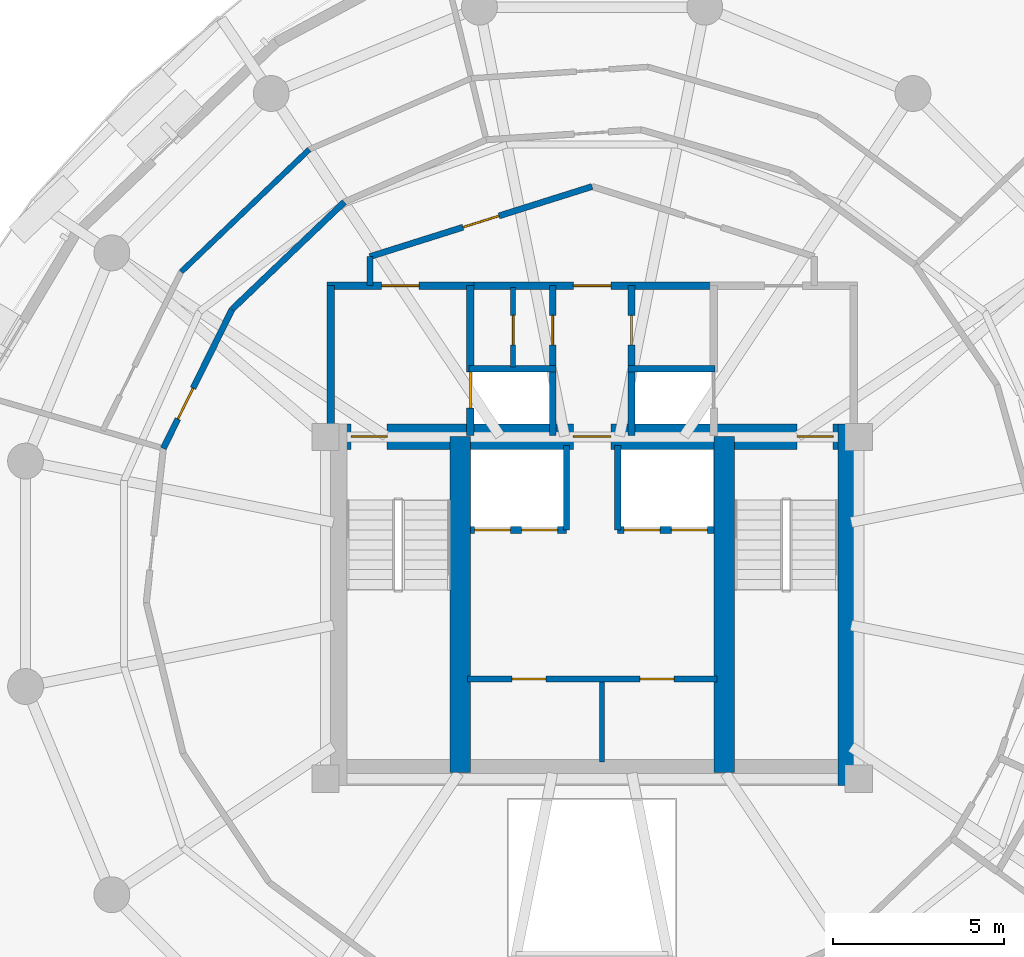
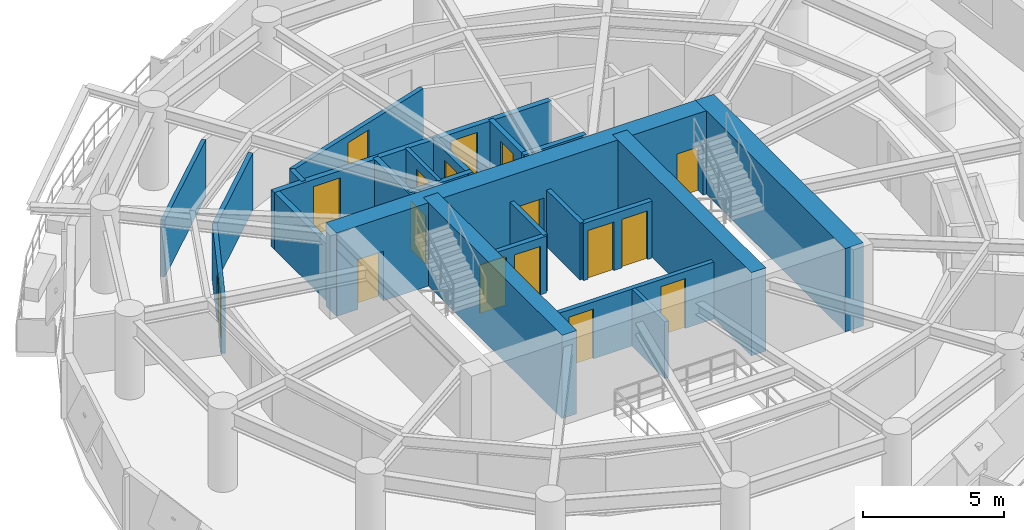
# One storey, part 8 of 12: 24 walls, 17 doors, 17 openings.
"""IFC4 building model written with IfcOpenShell, lengths in metres."""

from ifc_helpers import new_model, si_unit, direction, frame, frame_2d, origin, place, context, subcontext, project, spatial, rectangle, extrude, material, layer, layer_set, type_object, element, fill, save


model = new_model("IFC4")

# Units and contexts
model_context = context("Model", 3, precision=1e-05, world=origin(), true_north=direction((0.0, 1.0)))
body_context = subcontext(model_context, "Body", "Model", "MODEL_VIEW")
ifc_project = project(units=[si_unit("LENGTHUNIT", "METRE"), si_unit("AREAUNIT", "SQUARE_METRE"), si_unit("VOLUMEUNIT", "CUBIC_METRE"), si_unit("PLANEANGLEUNIT", "RADIAN"), si_unit("MASSUNIT", "GRAM", prefix="KILO"), si_unit("THERMODYNAMICTEMPERATUREUNIT", "KELVIN"), si_unit("POWERUNIT", "WATT")], contexts=[model_context])

# Site, building, storey
site_placement = place(None, origin())
site = spatial("IfcSite", under=ifc_project, at=site_placement, CompositionType="ELEMENT")
building_placement = place(site_placement, origin())
building = spatial("IfcBuilding", under=site, at=building_placement, Name="Ocrelia Relay Tower", CompositionType="ELEMENT")
storey_placement = place(building_placement, frame((0.0, 0.0, 213.199951171875)))
storey = spatial("IfcBuildingStorey", under=building, at=storey_placement, Name="L52", CompositionType="ELEMENT", Elevation=213.199951171875)

# Wall, openings, doors
ifc_material_1 = material(Name="Concrete C60/75", Category="concrete")
ifc_layer_1 = layer(ifc_material_1, 0.75, Name="Concrete C60/75")
ifc_layer_set_1 = layer_set([ifc_layer_1], Name="Concrete C60/75")
wall_type_1 = type_object("IfcWallType", Name="CW-CORE-750", PredefinedType="SHEAR", material=ifc_layer_set_1)
wall_1_placement = place(storey_placement, frame((26.072021484375, 30.012939453125, 0.0), z_axis=(0.0, 0.0, 1.0), x_axis=(1.0, 0.0, 0.0)))
wall_1 = element("IfcWall", 1, at=wall_1_placement, inside=storey, type_object=wall_type_1, Name="L52 Core Shear Wall N", PredefinedType="SHEAR", context=body_context, shape_type="SweptSolid", body=[
    extrude(rectangle(XDim=15.865966796875, YDim=0.75, at=frame_2d((7.93310546875, 0.0))), origin(), (0.0, 0.0, 1.0), 3.60009765625),
])
opening_1_placement = place(wall_1_placement, frame((0.8779296875, 0.0, 0.0)))
opening_1 = element("IfcOpeningElement", 2, at=opening_1_placement, cuts=wall_1, Name="Opening D-FD90", PredefinedType="OPENING", context=body_context, shape_type="SweptSolid", body=[
    extrude(rectangle(XDim=1.050048828125, YDim=2.14990234375, at=frame_2d((0.52490234375, 1.074951171875))), frame((0.0, 0.385009765625, 0.0), z_axis=(0.0, -1.0, 0.0), x_axis=(1.0, 0.0, 0.0)), (0.0, 0.0, 1.0), 0.77001953125),
])
opening_2_placement = place(wall_1_placement, frame((13.927978515625, 0.0, 0.0)))
opening_2 = element("IfcOpeningElement", 3, at=opening_2_placement, cuts=wall_1, Name="Opening D-FD90", PredefinedType="OPENING", context=body_context, shape_type="SweptSolid", body=[
    extrude(rectangle(XDim=1.050048828125, YDim=2.14990234375, at=frame_2d((0.52490234375, 1.074951171875))), frame((0.0, 0.385009765625, 0.0), z_axis=(0.0, -1.0, 0.0), x_axis=(1.0, 0.0, 0.0)), (0.0, 0.0, 1.0), 0.77001953125),
])
opening_3_placement = place(wall_1_placement, frame((7.3779296875, 0.0, 0.0)))
opening_3 = element("IfcOpeningElement", 4, at=opening_3_placement, cuts=wall_1, Name="Opening D-FD60", PredefinedType="OPENING", context=body_context, shape_type="SweptSolid", body=[
    extrude(rectangle(XDim=1.10009765625, YDim=2.14990234375, at=frame_2d((0.550048828125, 1.074951171875))), frame((0.0, 0.385009765625, 0.0), z_axis=(0.0, -1.0, 0.0), x_axis=(1.0, 0.0, 0.0)), (0.0, 0.0, 1.0), 0.77001953125),
])
ifc_material_2 = material(Name="Timber-core 60-min acoustic fire door", Category="wood")
door_type_1 = type_object("IfcDoorType", Name="DR-LOBBY-FD60-1100", OperationType="NOTDEFINED", PredefinedType="DOOR", material=ifc_material_2)
door_1_placement = place(opening_3_placement, origin())
door_1 = element("IfcDoor", 5, at=door_1_placement, inside=storey, type_object=door_type_1, Name="L52 Core Lift Lobby North Fire Door", OperationType="SINGLE_SWING_RIGHT", OverallHeight=2.14990234375, OverallWidth=1.10009765625, PredefinedType="DOOR", context=body_context, shape_type="SweptSolid", body=[
    extrude(rectangle(XDim=1.10009765625, YDim=2.14990234375, at=frame_2d((0.550048828125, 1.074951171875))), frame((0.0, 0.02490234375, 0.0), z_axis=(0.0, -1.0, 0.0), x_axis=(1.0, 0.0, 0.0)), (0.0, 0.0, 1.0), 0.050048828125),
])
fill(opening_3, door_1)
ifc_material_3 = material(Name="Steel S355 90-min fire door", Category="steel")
door_type_2 = type_object("IfcDoorType", Name="DR-STAIR-FD90-1050", OperationType="NOTDEFINED", PredefinedType="DOOR", material=ifc_material_3)
door_2_placement = place(opening_1_placement, origin())
door_2 = element("IfcDoor", 6, at=door_2_placement, inside=storey, type_object=door_type_2, Name="L52 Stair ST1 Fire Door", OperationType="SINGLE_SWING_RIGHT", OverallHeight=2.14990234375, OverallWidth=1.050048828125, PredefinedType="DOOR", context=body_context, shape_type="SweptSolid", body=[
    extrude(rectangle(XDim=1.050048828125, YDim=2.14990234375, at=frame_2d((0.52490234375, 1.074951171875))), frame((0.0, 0.02490234375, 0.0), z_axis=(0.0, -1.0, 0.0), x_axis=(1.0, 0.0, 0.0)), (0.0, 0.0, 1.0), 0.050048828125),
])
fill(opening_1, door_2)
door_3_placement = place(opening_2_placement, origin())
door_3 = element("IfcDoor", 7, at=door_3_placement, inside=storey, type_object=door_type_2, Name="L52 Stair ST2 Fire Door", OperationType="SINGLE_SWING_LEFT", OverallHeight=2.14990234375, OverallWidth=1.050048828125, PredefinedType="DOOR", context=body_context, shape_type="SweptSolid", body=[
    extrude(rectangle(XDim=1.050048828125, YDim=2.14990234375, at=frame_2d((0.52490234375, 1.074951171875))), frame((0.0, 0.02490234375, 0.0), z_axis=(0.0, -1.0, 0.0), x_axis=(1.0, 0.0, 0.0)), (0.0, 0.0, 1.0), 0.050048828125),
])
fill(opening_2, door_3)

# Walls
wall_2_placement = place(storey_placement, frame((41.56298828125, 19.81201171875, 0.0), z_axis=(0.0, 0.0, 1.0), x_axis=(0.0, 1.0, 0.0)))
element("IfcWall", 8, at=wall_2_placement, inside=storey, type_object=wall_type_1, Name="L52 Core Shear Wall E", PredefinedType="SHEAR", context=body_context, shape_type="SweptSolid", body=[
    extrude(rectangle(XDim=10.575927734375, YDim=0.75, at=frame_2d((5.2880859375, 0.0))), origin(), (0.0, 0.0, 1.0), 3.60009765625),
])
for number, where, z_axis, x_axis, name in (
    (9, (30.137939453125, 20.18701171875, 0.0), (0.0, 0.0, 1.0), (0.0, 1.0, 0.0), "L52 Core Shear Wall SPW"),
    (10, (37.8720703125, 20.18701171875, 0.0), (0.0, 0.0, 1.0), (0.0, 1.0, 0.0), "L52 Core Shear Wall SPE"),
):
    element("IfcWall", number, at=place(storey_placement, frame(where, z_axis=z_axis, x_axis=x_axis)), inside=storey, type_object=wall_type_1, Name=name, PredefinedType="SHEAR", context=body_context, shape_type="SweptSolid", body=[
        extrude(rectangle(XDim=9.825927734375, YDim=0.60009765625, at=frame_2d((4.9130859375, 0.0))), origin(), (0.0, 0.0, 1.0), 3.60009765625),
    ])

# Wall, openings, doors
ifc_material_4 = material(Name="Gypsum Fireboard Partition EI60", Category="gypsum")
ifc_layer_2 = layer(ifc_material_4, 0.179931640625, Name="Gypsum Fireboard Partition EI60")
ifc_layer_set_2 = layer_set([ifc_layer_2], Name="Gypsum Fireboard Partition EI60")
wall_type_2 = type_object("IfcWallType", Name="W-CORR-EI60-180", PredefinedType="PARTITIONING", material=ifc_layer_set_2)
wall_3_placement = place(storey_placement, frame((30.35009765625, 22.919921875, 0.0), z_axis=(0.0, 0.0, 1.0), x_axis=(1.0, 0.0, 0.0)))
wall_3 = element("IfcWall", 11, at=wall_3_placement, inside=storey, type_object=wall_type_2, Name="L52 Reclaimed Core Room Partition", PredefinedType="PARTITIONING", context=body_context, shape_type="SweptSolid", body=[
    extrude(rectangle(XDim=7.2998046875, YDim=0.179931640625, at=frame_2d((3.64990234375, 0.0))), origin(), (0.0, 0.0, 1.0), 2.4599609375),
])
opening_4_placement = place(wall_3_placement, frame((1.300048828125, 0.0, 0.0)))
opening_4 = element("IfcOpeningElement", 12, at=opening_4_placement, cuts=wall_3, Name="Opening D-RM100", PredefinedType="OPENING", context=body_context, shape_type="SweptSolid", body=[
    extrude(rectangle(XDim=1.0, YDim=2.14990234375, at=frame_2d((0.5, 1.074951171875))), frame((0.0, 0.10009765625, 0.0), z_axis=(0.0, -1.0, 0.0), x_axis=(1.0, 0.0, 0.0)), (0.0, 0.0, 1.0), 0.199951171875),
])
opening_5_placement = place(wall_3_placement, frame((5.050048828125, 0.0, 0.0)))
opening_5 = element("IfcOpeningElement", 13, at=opening_5_placement, cuts=wall_3, Name="Opening D-RM100", PredefinedType="OPENING", context=body_context, shape_type="SweptSolid", body=[
    extrude(rectangle(XDim=1.0, YDim=2.14990234375, at=frame_2d((0.5, 1.074951171875))), frame((0.0, 0.10009765625, 0.0), z_axis=(0.0, -1.0, 0.0), x_axis=(1.0, 0.0, 0.0)), (0.0, 0.0, 1.0), 0.199951171875),
])
ifc_material_5 = material(Name="Acoustic oak veneer fire door", Category="wood")
door_type_3 = type_object("IfcDoorType", Name="DR-ROOM-FD60-1000", OperationType="NOTDEFINED", PredefinedType="DOOR", material=ifc_material_5)
door_4_placement = place(opening_4_placement, origin())
door_4 = element("IfcDoor", 14, at=door_4_placement, inside=storey, type_object=door_type_3, Name="L52 Reclaimed Core Room 1 Door", OperationType="SINGLE_SWING_LEFT", OverallHeight=2.14990234375, OverallWidth=1.0, PredefinedType="DOOR", context=body_context, shape_type="SweptSolid", body=[
    extrude(rectangle(XDim=1.0, YDim=2.14990234375, at=frame_2d((0.5, 1.074951171875))), frame((0.0, 0.02490234375, 0.0), z_axis=(0.0, -1.0, 0.0), x_axis=(1.0, 0.0, 0.0)), (0.0, 0.0, 1.0), 0.050048828125),
])
fill(opening_4, door_4)
door_5_placement = place(opening_5_placement, origin())
door_5 = element("IfcDoor", 15, at=door_5_placement, inside=storey, type_object=door_type_3, Name="L52 Reclaimed Core Room 2 Door", OperationType="SINGLE_SWING_RIGHT", OverallHeight=2.14990234375, OverallWidth=1.0, PredefinedType="DOOR", context=body_context, shape_type="SweptSolid", body=[
    extrude(rectangle(XDim=1.0, YDim=2.14990234375, at=frame_2d((0.5, 1.074951171875))), frame((0.0, 0.02490234375, 0.0), z_axis=(0.0, -1.0, 0.0), x_axis=(1.0, 0.0, 0.0)), (0.0, 0.0, 1.0), 0.050048828125),
])
fill(opening_5, door_5)

# Wall
wall_4_placement = place(storey_placement, frame((27.5, 34.429931640625, 0.0), z_axis=(0.0, 0.0, 1.0), x_axis=(0.0, 1.0, 0.0)))
element("IfcWall", 16, at=wall_4_placement, inside=storey, type_object=wall_type_2, Name="L52 Smoke Lobby West Return", PredefinedType="PARTITIONING", context=body_context, shape_type="SweptSolid", body=[
    extrude(rectangle(XDim=0.85009765625, YDim=0.179931640625, at=frame_2d((0.425048828125, 0.0))), origin(), (0.0, 0.0, 1.0), 2.4599609375),
])

# Wall, opening, door
wall_5_placement = place(storey_placement, frame((27.5, 35.280029296875, 0.0), z_axis=(0.0, 0.0, 1.0), x_axis=(0.953691418528, 0.300786765376, 0.0)))
wall_5 = element("IfcWall", 17, at=wall_5_placement, inside=storey, type_object=wall_type_2, Name="L52 North Smoke Lobby W Screen Wall", PredefinedType="PARTITIONING", context=body_context, shape_type="SweptSolid", body=[
    extrude(rectangle(XDim=6.815673828125, YDim=0.179931640625, at=frame_2d((3.40771484375, 0.0))), origin(), (0.0, 0.0, 1.0), 2.4599609375),
])
opening_6_placement = place(wall_5_placement, frame((2.85791015625, 0.0, 0.0)))
opening_6 = element("IfcOpeningElement", 18, at=opening_6_placement, cuts=wall_5, Name="Opening D-FD60", PredefinedType="OPENING", context=body_context, shape_type="SweptSolid", body=[
    extrude(rectangle(XDim=1.10009765625, YDim=2.14990234375, at=frame_2d((0.550048828125, 1.074951171875))), frame((0.0, 0.10009765625, 0.0), z_axis=(0.0, -1.0, 0.0), x_axis=(1.0, 0.0, 0.0)), (0.0, 0.0, 1.0), 0.199951171875),
])
door_6_placement = place(opening_6_placement, origin())
door_6 = element("IfcDoor", 19, at=door_6_placement, inside=storey, type_object=door_type_1, Name="L52 North Smoke Lobby W Fire Door", OperationType="SINGLE_SWING_LEFT", OverallHeight=2.14990234375, OverallWidth=1.10009765625, PredefinedType="DOOR", context=body_context, shape_type="SweptSolid", body=[
    extrude(rectangle(XDim=1.10009765625, YDim=2.14990234375, at=frame_2d((0.550048828125, 1.074951171875))), frame((0.0, 0.02490234375, 0.0), z_axis=(0.0, -1.0, 0.0), x_axis=(1.0, 0.0, 0.0)), (0.0, 0.0, 1.0), 0.050048828125),
])
fill(opening_6, door_6)

# Wall
wall_6_placement = place(storey_placement, frame((26.748291015625, 36.87353515625, 0.0), z_axis=(0.0, 0.0, 1.0), x_axis=(-0.722979348147, -0.690869641939, 0.0)))
element("IfcWall", 20, at=wall_6_placement, inside=storey, type_object=wall_type_2, Name="L52 Client Arrival Foyer Corridor Partition 2", PredefinedType="PARTITIONING", context=body_context, shape_type="SweptSolid", body=[
    extrude(rectangle(XDim=4.539306640625, YDim=0.179931640625, at=frame_2d((2.26953125, 0.0))), origin(), (0.0, 0.0, 1.0), 2.4599609375),
])

# Wall, opening, door
wall_7_placement = place(storey_placement, frame((23.466552734375, 33.737548828125, 0.0), z_axis=(0.0, 0.0, 1.0), x_axis=(-0.443078163256, -0.896482984359, 0.0)))
wall_7 = element("IfcWall", 21, at=wall_7_placement, inside=storey, type_object=wall_type_2, Name="L52 Client Arrival Foyer Corridor Partition 3", PredefinedType="PARTITIONING", context=body_context, shape_type="SweptSolid", body=[
    extrude(rectangle(XDim=4.539306640625, YDim=0.179931640625, at=frame_2d((2.26953125, 0.0))), origin(), (0.0, 0.0, 1.0), 2.4599609375),
])
opening_7_placement = place(wall_7_placement, frame((2.579345703125, 0.0, 0.0)))
opening_7 = element("IfcOpeningElement", 22, at=opening_7_placement, cuts=wall_7, Name="Opening D-RM100", PredefinedType="OPENING", context=body_context, shape_type="SweptSolid", body=[
    extrude(rectangle(XDim=1.0, YDim=2.14990234375, at=frame_2d((0.5, 1.074951171875))), frame((0.0, 0.10009765625, 0.0), z_axis=(0.0, -1.0, 0.0), x_axis=(1.0, 0.0, 0.0)), (0.0, 0.0, 1.0), 0.199951171875),
])
door_7_placement = place(opening_7_placement, origin())
door_7 = element("IfcDoor", 23, at=door_7_placement, inside=storey, type_object=door_type_3, Name="L52 Client Arrival Foyer Entrance Door", OperationType="SINGLE_SWING_RIGHT", OverallHeight=2.14990234375, OverallWidth=1.0, PredefinedType="DOOR", context=body_context, shape_type="SweptSolid", body=[
    extrude(rectangle(XDim=1.0, YDim=2.14990234375, at=frame_2d((0.5, 1.074951171875))), frame((0.0, 0.02490234375, 0.0), z_axis=(0.0, -1.0, 0.0), x_axis=(1.0, 0.0, 0.0)), (0.0, 0.0, 1.0), 0.050048828125),
])
fill(opening_7, door_7)

# Wall
ifc_material_6 = material(Name="Concrete C50/60", Category="concrete")
ifc_layer_3 = layer(ifc_material_6, 0.219970703125, Name="Concrete C50/60")
ifc_layer_set_3 = layer_set([ifc_layer_3], Name="Concrete C50/60")
wall_type_3 = type_object("IfcWallType", Name="W-FFL-EI120-220", PredefinedType="SOLIDWALL", material=ifc_layer_set_3)
wall_8_placement = place(storey_placement, frame((26.35009765625, 30.050048828125, 0.0), z_axis=(0.0, 0.0, 1.0), x_axis=(0.0, 1.0, 0.0)))
element("IfcWall", 24, at=wall_8_placement, inside=storey, type_object=wall_type_3, Name="L52 W Fire Service Lift Lobby West Wall", PredefinedType="SOLIDWALL", context=body_context, shape_type="SweptSolid", body=[
    extrude(rectangle(XDim=4.3798828125, YDim=0.219970703125, at=frame_2d((2.18994140625, 0.0))), origin(), (0.0, 0.0, 1.0), 2.4599609375),
])

# Wall, opening, door
wall_9_placement = place(storey_placement, frame((30.43994140625, 30.050048828125, 0.0), z_axis=(0.0, 0.0, 1.0), x_axis=(0.0, 1.0, 0.0)))
wall_9 = element("IfcWall", 25, at=wall_9_placement, inside=storey, type_object=wall_type_3, Name="L52 W Fire Service Lift Lobby East Wall", PredefinedType="SOLIDWALL", context=body_context, shape_type="SweptSolid", body=[
    extrude(rectangle(XDim=4.3798828125, YDim=0.219970703125, at=frame_2d((2.18994140625, 0.0))), origin(), (0.0, 0.0, 1.0), 2.4599609375),
])
opening_8_placement = place(wall_9_placement, frame((0.800048828125, 0.0, 0.0)))
opening_8 = element("IfcOpeningElement", 26, at=opening_8_placement, cuts=wall_9, Name="Opening LD-FFL1", PredefinedType="OPENING", context=body_context, shape_type="SweptSolid", body=[
    extrude(rectangle(XDim=1.050048828125, YDim=2.10009765625, at=frame_2d((0.52490234375, 1.050048828125))), frame((0.0, 0.1201171875, 0.0), z_axis=(0.0, -1.0, 0.0), x_axis=(1.0, 0.0, 0.0)), (0.0, 0.0, 1.0), 0.239990234375),
])
ifc_material_7 = material(Name="Brushed stainless steel S355 lift landing door", Category="steel")
door_type_4 = type_object("IfcDoorType", Name="DR-LIFT-LAND-1050", OperationType="DOUBLE_DOOR_SLIDING", PredefinedType="USERDEFINED", material=ifc_material_7)
door_8_placement = place(opening_8_placement, origin())
door_8 = element("IfcDoor", 27, at=door_8_placement, inside=storey, type_object=door_type_4, Name="L52 Firefighting Lift FFL1 Sliding Landing Door", ObjectType="LANDING DOOR", OperationType="DOUBLE_DOOR_SLIDING", OverallHeight=2.10009765625, OverallWidth=1.050048828125, PredefinedType="USERDEFINED", context=body_context, shape_type="SweptSolid", body=[
    extrude(rectangle(XDim=1.050048828125, YDim=2.10009765625, at=frame_2d((0.52490234375, 1.050048828125))), frame((0.0, 0.02490234375, 0.0), z_axis=(0.0, -1.0, 0.0), x_axis=(1.0, 0.0, 0.0)), (0.0, 0.0, 1.0), 0.050048828125),
])
fill(opening_8, door_8)

wall_10_placement = place(storey_placement, frame((26.239990234375, 34.429931640625, 0.0), z_axis=(0.0, 0.0, 1.0), x_axis=(1.0, 0.0, 0.0)))
wall_10 = element("IfcWall", 28, at=wall_10_placement, inside=storey, type_object=wall_type_3, Name="L52 W Fire Service Lift Lobby North Wall", PredefinedType="SOLIDWALL", context=body_context, shape_type="SweptSolid", body=[
    extrude(rectangle(XDim=4.31005859375, YDim=0.219970703125, at=frame_2d((2.155029296875, 0.0))), origin(), (0.0, 0.0, 1.0), 2.4599609375),
])
opening_9_placement = place(wall_10_placement, frame((1.60009765625, 0.0, 0.0)))
opening_9 = element("IfcOpeningElement", 29, at=opening_9_placement, cuts=wall_10, Name="Opening D-FD60", PredefinedType="OPENING", context=body_context, shape_type="SweptSolid", body=[
    extrude(rectangle(XDim=1.10009765625, YDim=2.14990234375, at=frame_2d((0.550048828125, 1.074951171875))), frame((0.0, 0.1201171875, 0.0), z_axis=(0.0, -1.0, 0.0), x_axis=(1.0, 0.0, 0.0)), (0.0, 0.0, 1.0), 0.239990234375),
])
door_9_placement = place(opening_9_placement, origin())
door_9 = element("IfcDoor", 30, at=door_9_placement, inside=storey, type_object=door_type_1, Name="L52 W Fire Service Lift Lobby Exit Door", OperationType="SINGLE_SWING_LEFT", OverallHeight=2.14990234375, OverallWidth=1.10009765625, PredefinedType="DOOR", context=body_context, shape_type="SweptSolid", body=[
    extrude(rectangle(XDim=1.10009765625, YDim=2.14990234375, at=frame_2d((0.550048828125, 1.074951171875))), frame((0.0, 0.02490234375, 0.0), z_axis=(0.0, -1.0, 0.0), x_axis=(1.0, 0.0, 0.0)), (0.0, 0.0, 1.0), 0.050048828125),
])
fill(opening_9, door_9)

wall_11_placement = place(storey_placement, frame((30.43994140625, 34.429931640625, 0.0), z_axis=(0.0, 0.0, 1.0), x_axis=(1.0, 0.0, 0.0)))
wall_11 = element("IfcWall", 31, at=wall_11_placement, inside=storey, type_object=wall_type_3, Name="L52 North Core Vestibule Wall", PredefinedType="SOLIDWALL", context=body_context, shape_type="SweptSolid", body=[
    extrude(rectangle(XDim=7.1201171875, YDim=0.219970703125, at=frame_2d((3.56005859375, 0.0))), origin(), (0.0, 0.0, 1.0), 2.4599609375),
])
opening_10_placement = place(wall_11_placement, frame((3.010009765625, 0.0, 0.0)))
opening_10 = element("IfcOpeningElement", 32, at=opening_10_placement, cuts=wall_11, Name="Opening D-FD60", PredefinedType="OPENING", context=body_context, shape_type="SweptSolid", body=[
    extrude(rectangle(XDim=1.10009765625, YDim=2.14990234375, at=frame_2d((0.550048828125, 1.074951171875))), frame((0.0, 0.1201171875, 0.0), z_axis=(0.0, -1.0, 0.0), x_axis=(1.0, 0.0, 0.0)), (0.0, 0.0, 1.0), 0.239990234375),
])
door_10_placement = place(opening_10_placement, origin())
door_10 = element("IfcDoor", 33, at=door_10_placement, inside=storey, type_object=door_type_1, Name="L52 North Core Vestibule Corridor Door", OperationType="SINGLE_SWING_LEFT", OverallHeight=2.14990234375, OverallWidth=1.10009765625, PredefinedType="DOOR", context=body_context, shape_type="SweptSolid", body=[
    extrude(rectangle(XDim=1.10009765625, YDim=2.14990234375, at=frame_2d((0.550048828125, 1.074951171875))), frame((0.0, 0.02490234375, 0.0), z_axis=(0.0, -1.0, 0.0), x_axis=(1.0, 0.0, 0.0)), (0.0, 0.0, 1.0), 0.050048828125),
])
fill(opening_10, door_10)

ifc_material_8 = material(Name="Acoustic Fireboard Partition EI60", Category="gypsum")
ifc_layer_4 = layer(ifc_material_8, 0.14990234375, Name="Acoustic Fireboard Partition EI60")
ifc_layer_set_4 = layer_set([ifc_layer_4], Name="Acoustic Fireboard Partition EI60")
wall_type_4 = type_object("IfcWallType", Name="W-PART-150", PredefinedType="PARTITIONING", material=ifc_layer_set_4)
wall_12_placement = place(storey_placement, frame((31.68994140625, 32.050048828125, 0.0), z_axis=(0.0, 0.0, 1.0), x_axis=(0.0, 1.0, 0.0)))
wall_12 = element("IfcWall", 34, at=wall_12_placement, inside=storey, type_object=wall_type_4, Name="L52 West Core Support Partition", PredefinedType="PARTITIONING", context=body_context, shape_type="SweptSolid", body=[
    extrude(rectangle(XDim=2.329833984375, YDim=0.14990234375, at=frame_2d((1.1650390625, 0.0))), origin(), (0.0, 0.0, 1.0), 2.4599609375),
])
opening_11_placement = place(wall_12_placement, frame((0.64990234375, 0.0, 0.0)))
opening_11 = element("IfcOpeningElement", 35, at=opening_11_placement, cuts=wall_12, Name="Opening D-RS86", PredefinedType="OPENING", context=body_context, shape_type="SweptSolid", body=[
    extrude(rectangle(XDim=0.860107421875, YDim=2.050048828125, at=frame_2d((0.43017578125, 1.02490234375))), frame((0.0, 0.0849609375, 0.0), z_axis=(0.0, -1.0, 0.0), x_axis=(1.0, 0.0, 0.0)), (0.0, 0.0, 1.0), 0.169921875),
])
ifc_material_9 = material(Name="Steel S355 riser access fire door", Category="steel")
door_type_5 = type_object("IfcDoorType", Name="DR-RISER-TRAP-860", OperationType="NOTDEFINED", PredefinedType="TRAPDOOR", material=ifc_material_9)
door_11_placement = place(opening_11_placement, origin())
door_11 = element("IfcDoor", 36, at=door_11_placement, inside=storey, type_object=door_type_5, Name="L52 West Core Store Connecting Door", OperationType="SINGLE_SWING_RIGHT", OverallHeight=2.050048828125, OverallWidth=0.860107421875, PredefinedType="TRAPDOOR", context=body_context, shape_type="SweptSolid", body=[
    extrude(rectangle(XDim=0.860107421875, YDim=2.050048828125, at=frame_2d((0.43017578125, 1.02490234375))), frame((0.0, 0.02490234375, 0.0), z_axis=(0.0, -1.0, 0.0), x_axis=(1.0, 0.0, 0.0)), (0.0, 0.0, 1.0), 0.050048828125),
])
fill(opening_11, door_11)

# Walls
wall_13_placement = place(storey_placement, frame((34.2900390625, 20.5, 0.0), z_axis=(0.0, 0.0, 1.0), x_axis=(0.0, 1.0, 0.0)))
element("IfcWall", 37, at=wall_13_placement, inside=storey, type_object=wall_type_4, Name="L52 Reclaimed Core Dividing Wall", PredefinedType="PARTITIONING", context=body_context, shape_type="SweptSolid", body=[
    extrude(rectangle(XDim=2.340087890625, YDim=0.14990234375, at=frame_2d((1.169921875, 0.0))), origin(), (0.0, 0.0, 1.0), 2.4599609375),
])
ifc_layer_5 = layer(ifc_material_8, 0.159912109375, Name="Acoustic Fireboard Partition EI60")
ifc_layer_set_5 = layer_set([ifc_layer_5], Name="Acoustic Fireboard Partition EI60")
wall_type_5 = type_object("IfcWallType", Name="W-PART-160", PredefinedType="PARTITIONING", material=ifc_layer_set_5)
wall_14_placement = place(storey_placement, frame((25.7216796875, 38.412841796875, 0.0), z_axis=(0.0, 0.0, 1.0), x_axis=(-0.722944668345, -0.690905931739, 0.0)))
element("IfcWall", 38, at=wall_14_placement, inside=storey, type_object=wall_type_5, Name="L52 Perimeter Client Arrival Foyer Mid-Ring Partition 2", PredefinedType="PARTITIONING", context=body_context, shape_type="SweptSolid", body=[
    extrude(rectangle(XDim=5.181640625, YDim=0.159912109375, at=frame_2d((2.5908203125, 0.0))), origin(), (0.0, 0.0, 1.0), 2.4599609375),
])
ifc_layer_6 = layer(ifc_material_6, 0.199951171875, Name="Concrete C50/60")
ifc_layer_set_6 = layer_set([ifc_layer_6], Name="Concrete C50/60")
wall_type_6 = type_object("IfcWallType", Name="W-SHAFT-EI120-200", PredefinedType="SOLIDWALL", material=ifc_layer_set_6)
wall_15_placement = place(storey_placement, frame((30.39990234375, 32.0, 0.0), z_axis=(0.0, 0.0, 1.0), x_axis=(1.0, 0.0, 0.0)))
element("IfcWall", 39, at=wall_15_placement, inside=storey, type_object=wall_type_6, Name="L52 FFL1 Hoistway North Wall", PredefinedType="SOLIDWALL", context=body_context, shape_type="SweptSolid", body=[
    extrude(rectangle(XDim=2.550048828125, YDim=0.199951171875, at=frame_2d((1.27490234375, 0.0))), origin(), (0.0, 0.0, 1.0), 2.4599609375),
])

# Wall, opening, door
wall_16_placement = place(storey_placement, frame((32.85009765625, 30.050048828125, 0.0), z_axis=(0.0, 0.0, 1.0), x_axis=(0.0, 1.0, 0.0)))
wall_16 = element("IfcWall", 40, at=wall_16_placement, inside=storey, type_object=wall_type_6, Name="L52 FFL1 and Service Vestibule Wall", PredefinedType="SOLIDWALL", context=body_context, shape_type="SweptSolid", body=[
    extrude(rectangle(XDim=4.3798828125, YDim=0.199951171875, at=frame_2d((2.18994140625, 0.0))), origin(), (0.0, 0.0, 1.0), 2.4599609375),
])
opening_12_placement = place(wall_16_placement, frame((2.64990234375, 0.0, 0.0)))
opening_12 = element("IfcOpeningElement", 41, at=opening_12_placement, cuts=wall_16, Name="Opening D-RS86", PredefinedType="OPENING", context=body_context, shape_type="SweptSolid", body=[
    extrude(rectangle(XDim=0.860107421875, YDim=2.050048828125, at=frame_2d((0.43017578125, 1.02490234375))), frame((0.0, 0.10986328125, 0.0), z_axis=(0.0, -1.0, 0.0), x_axis=(1.0, 0.0, 0.0)), (0.0, 0.0, 1.0), 0.219970703125),
])
door_12_placement = place(opening_12_placement, origin())
door_12 = element("IfcDoor", 42, at=door_12_placement, inside=storey, type_object=door_type_5, Name="L52 Core Support Room W Door", OperationType="SINGLE_SWING_RIGHT", OverallHeight=2.050048828125, OverallWidth=0.860107421875, PredefinedType="TRAPDOOR", context=body_context, shape_type="SweptSolid", body=[
    extrude(rectangle(XDim=0.860107421875, YDim=2.050048828125, at=frame_2d((0.43017578125, 1.02490234375))), frame((0.0, 0.02490234375, 0.0), z_axis=(0.0, -1.0, 0.0), x_axis=(1.0, 0.0, 0.0)), (0.0, 0.0, 1.0), 0.050048828125),
])
fill(opening_12, door_12)

# Wall
wall_17_placement = place(storey_placement, frame((35.050048828125, 32.0, 0.0), z_axis=(0.0, 0.0, 1.0), x_axis=(1.0, 0.0, 0.0)))
element("IfcWall", 43, at=wall_17_placement, inside=storey, type_object=wall_type_6, Name="L52 FFL2 Hoistway North Wall", PredefinedType="SOLIDWALL", context=body_context, shape_type="SweptSolid", body=[
    extrude(rectangle(XDim=2.550048828125, YDim=0.199951171875, at=frame_2d((1.27490234375, 0.0))), origin(), (0.0, 0.0, 1.0), 2.4599609375),
])

# Wall, opening, door
wall_18_placement = place(storey_placement, frame((35.14990234375, 30.050048828125, 0.0), z_axis=(0.0, 0.0, 1.0), x_axis=(0.0, 1.0, 0.0)))
wall_18 = element("IfcWall", 44, at=wall_18_placement, inside=storey, type_object=wall_type_6, Name="L52 FFL2 and Service Vestibule Wall", PredefinedType="SOLIDWALL", context=body_context, shape_type="SweptSolid", body=[
    extrude(rectangle(XDim=4.3798828125, YDim=0.199951171875, at=frame_2d((2.18994140625, 0.0))), origin(), (0.0, 0.0, 1.0), 2.4599609375),
])
opening_13_placement = place(wall_18_placement, frame((2.64990234375, 0.0, 0.0)))
opening_13 = element("IfcOpeningElement", 45, at=opening_13_placement, cuts=wall_18, Name="Opening D-RS86", PredefinedType="OPENING", context=body_context, shape_type="SweptSolid", body=[
    extrude(rectangle(XDim=0.860107421875, YDim=2.050048828125, at=frame_2d((0.43017578125, 1.02490234375))), frame((0.0, 0.10986328125, 0.0), z_axis=(0.0, -1.0, 0.0), x_axis=(1.0, 0.0, 0.0)), (0.0, 0.0, 1.0), 0.219970703125),
])
door_13_placement = place(opening_13_placement, origin())
door_13 = element("IfcDoor", 46, at=door_13_placement, inside=storey, type_object=door_type_5, Name="L52 Core Support Room E Door", OperationType="SINGLE_SWING_RIGHT", OverallHeight=2.050048828125, OverallWidth=0.860107421875, PredefinedType="TRAPDOOR", context=body_context, shape_type="SweptSolid", body=[
    extrude(rectangle(XDim=0.860107421875, YDim=2.050048828125, at=frame_2d((0.43017578125, 1.02490234375))), frame((0.0, 0.02490234375, 0.0), z_axis=(0.0, -1.0, 0.0), x_axis=(1.0, 0.0, 0.0)), (0.0, 0.0, 1.0), 0.050048828125),
])
fill(opening_13, door_13)

# Wall, openings, doors
wall_19_placement = place(storey_placement, frame((30.43994140625, 27.280029296875, 0.0), z_axis=(0.0, 0.0, 1.0), x_axis=(1.0, 0.0, 0.0)))
wall_19 = element("IfcWall", 47, at=wall_19_placement, inside=storey, type_object=wall_type_6, Name="L52 High-Rise Lift Hoistway Wall W", PredefinedType="SOLIDWALL", context=body_context, shape_type="SweptSolid", body=[
    extrude(rectangle(XDim=2.81005859375, YDim=0.199951171875, at=frame_2d((1.405029296875, 0.0))), origin(), (0.0, 0.0, 1.0), 2.4599609375),
])
opening_14_placement = place(wall_19_placement, frame((0.1201171875, 0.0, 0.0)))
opening_14 = element("IfcOpeningElement", 48, at=opening_14_placement, cuts=wall_19, Name="Opening LD-PL5", PredefinedType="OPENING", context=body_context, shape_type="SweptSolid", body=[
    extrude(rectangle(XDim=1.050048828125, YDim=2.10009765625, at=frame_2d((0.52490234375, 1.050048828125))), frame((0.0, 0.10986328125, 0.0), z_axis=(0.0, -1.0, 0.0), x_axis=(1.0, 0.0, 0.0)), (0.0, 0.0, 1.0), 0.219970703125),
])
opening_15_placement = place(wall_19_placement, frame((1.5, 0.0, 0.0)))
opening_15 = element("IfcOpeningElement", 49, at=opening_15_placement, cuts=wall_19, Name="Opening LD-PL6", PredefinedType="OPENING", context=body_context, shape_type="SweptSolid", body=[
    extrude(rectangle(XDim=1.050048828125, YDim=2.10009765625, at=frame_2d((0.52490234375, 1.050048828125))), frame((0.0, 0.10986328125, 0.0), z_axis=(0.0, -1.0, 0.0), x_axis=(1.0, 0.0, 0.0)), (0.0, 0.0, 1.0), 0.219970703125),
])
door_14_placement = place(opening_14_placement, origin())
door_14 = element("IfcDoor", 50, at=door_14_placement, inside=storey, type_object=door_type_4, Name="L52 High-Rise Lift PL5 Sliding Landing Door", ObjectType="LANDING DOOR", OperationType="DOUBLE_DOOR_SLIDING", OverallHeight=2.10009765625, OverallWidth=1.050048828125, PredefinedType="USERDEFINED", context=body_context, shape_type="SweptSolid", body=[
    extrude(rectangle(XDim=1.050048828125, YDim=2.10009765625, at=frame_2d((0.52490234375, 1.050048828125))), frame((0.0, 0.02490234375, 0.0), z_axis=(0.0, -1.0, 0.0), x_axis=(1.0, 0.0, 0.0)), (0.0, 0.0, 1.0), 0.050048828125),
])
fill(opening_14, door_14)
door_15_placement = place(opening_15_placement, origin())
door_15 = element("IfcDoor", 51, at=door_15_placement, inside=storey, type_object=door_type_4, Name="L52 High-Rise Lift PL6 Sliding Landing Door", ObjectType="LANDING DOOR", OperationType="DOUBLE_DOOR_SLIDING", OverallHeight=2.10009765625, OverallWidth=1.050048828125, PredefinedType="USERDEFINED", context=body_context, shape_type="SweptSolid", body=[
    extrude(rectangle(XDim=1.050048828125, YDim=2.10009765625, at=frame_2d((0.52490234375, 1.050048828125))), frame((0.0, 0.02490234375, 0.0), z_axis=(0.0, -1.0, 0.0), x_axis=(1.0, 0.0, 0.0)), (0.0, 0.0, 1.0), 0.050048828125),
])
fill(opening_15, door_15)

# Wall
wall_20_placement = place(storey_placement, frame((33.25, 27.280029296875, 0.0), z_axis=(0.0, 0.0, 1.0), x_axis=(0.0, 1.0, 0.0)))
element("IfcWall", 52, at=wall_20_placement, inside=storey, type_object=wall_type_6, Name="L52 High-Rise Lift Throat Wall W", PredefinedType="SOLIDWALL", context=body_context, shape_type="SweptSolid", body=[
    extrude(rectangle(XDim=2.469970703125, YDim=0.179931640625, at=frame_2d((1.23486328125, 0.0))), origin(), (0.0, 0.0, 1.0), 2.4599609375),
])

# Wall, openings, doors
wall_21_placement = place(storey_placement, frame((34.75, 27.280029296875, 0.0), z_axis=(0.0, 0.0, 1.0), x_axis=(1.0, 0.0, 0.0)))
wall_21 = element("IfcWall", 53, at=wall_21_placement, inside=storey, type_object=wall_type_6, Name="L52 High-Rise Lift Hoistway Wall E", PredefinedType="SOLIDWALL", context=body_context, shape_type="SweptSolid", body=[
    extrude(rectangle(XDim=2.81005859375, YDim=0.199951171875, at=frame_2d((1.405029296875, 0.0))), origin(), (0.0, 0.0, 1.0), 2.4599609375),
])
opening_16_placement = place(wall_21_placement, frame((0.18994140625, 0.0, 0.0)))
opening_16 = element("IfcOpeningElement", 54, at=opening_16_placement, cuts=wall_21, Name="Opening LD-PL7", PredefinedType="OPENING", context=body_context, shape_type="SweptSolid", body=[
    extrude(rectangle(XDim=1.050048828125, YDim=2.10009765625, at=frame_2d((0.52490234375, 1.050048828125))), frame((0.0, 0.10986328125, 0.0), z_axis=(0.0, -1.0, 0.0), x_axis=(1.0, 0.0, 0.0)), (0.0, 0.0, 1.0), 0.219970703125),
])
opening_17_placement = place(wall_21_placement, frame((1.570068359375, 0.0, 0.0)))
opening_17 = element("IfcOpeningElement", 55, at=opening_17_placement, cuts=wall_21, Name="Opening LD-PL8", PredefinedType="OPENING", context=body_context, shape_type="SweptSolid", body=[
    extrude(rectangle(XDim=1.050048828125, YDim=2.10009765625, at=frame_2d((0.52490234375, 1.050048828125))), frame((0.0, 0.10986328125, 0.0), z_axis=(0.0, -1.0, 0.0), x_axis=(1.0, 0.0, 0.0)), (0.0, 0.0, 1.0), 0.219970703125),
])
door_16_placement = place(opening_16_placement, origin())
door_16 = element("IfcDoor", 56, at=door_16_placement, inside=storey, type_object=door_type_4, Name="L52 High-Rise Lift PL7 Sliding Landing Door", ObjectType="LANDING DOOR", OperationType="DOUBLE_DOOR_SLIDING", OverallHeight=2.10009765625, OverallWidth=1.050048828125, PredefinedType="USERDEFINED", context=body_context, shape_type="SweptSolid", body=[
    extrude(rectangle(XDim=1.050048828125, YDim=2.10009765625, at=frame_2d((0.52490234375, 1.050048828125))), frame((0.0, 0.02490234375, 0.0), z_axis=(0.0, -1.0, 0.0), x_axis=(1.0, 0.0, 0.0)), (0.0, 0.0, 1.0), 0.050048828125),
])
fill(opening_16, door_16)
door_17_placement = place(opening_17_placement, origin())
door_17 = element("IfcDoor", 57, at=door_17_placement, inside=storey, type_object=door_type_4, Name="L52 High-Rise Lift PL8 Sliding Landing Door", ObjectType="LANDING DOOR", OperationType="DOUBLE_DOOR_SLIDING", OverallHeight=2.10009765625, OverallWidth=1.050048828125, PredefinedType="USERDEFINED", context=body_context, shape_type="SweptSolid", body=[
    extrude(rectangle(XDim=1.050048828125, YDim=2.10009765625, at=frame_2d((0.52490234375, 1.050048828125))), frame((0.0, 0.02490234375, 0.0), z_axis=(0.0, -1.0, 0.0), x_axis=(1.0, 0.0, 0.0)), (0.0, 0.0, 1.0), 0.050048828125),
])
fill(opening_17, door_17)

# Wall
wall_22_placement = place(storey_placement, frame((34.75, 27.280029296875, 0.0), z_axis=(0.0, 0.0, 1.0), x_axis=(0.0, 1.0, 0.0)))
element("IfcWall", 58, at=wall_22_placement, inside=storey, type_object=wall_type_6, Name="L52 High-Rise Lift Throat Wall E", PredefinedType="SOLIDWALL", context=body_context, shape_type="SweptSolid", body=[
    extrude(rectangle(XDim=2.469970703125, YDim=0.179931640625, at=frame_2d((1.23486328125, 0.0))), origin(), (0.0, 0.0, 1.0), 2.4599609375),
])

save(model, "model.ifc")
